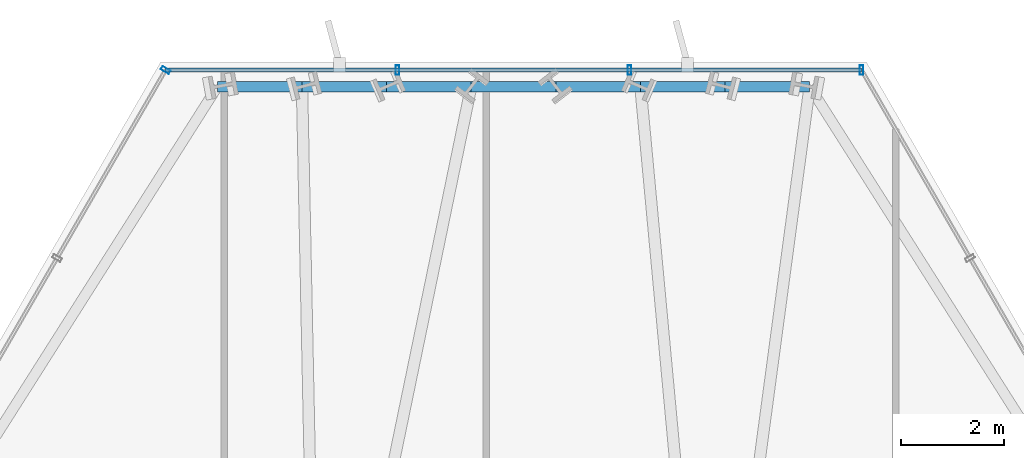
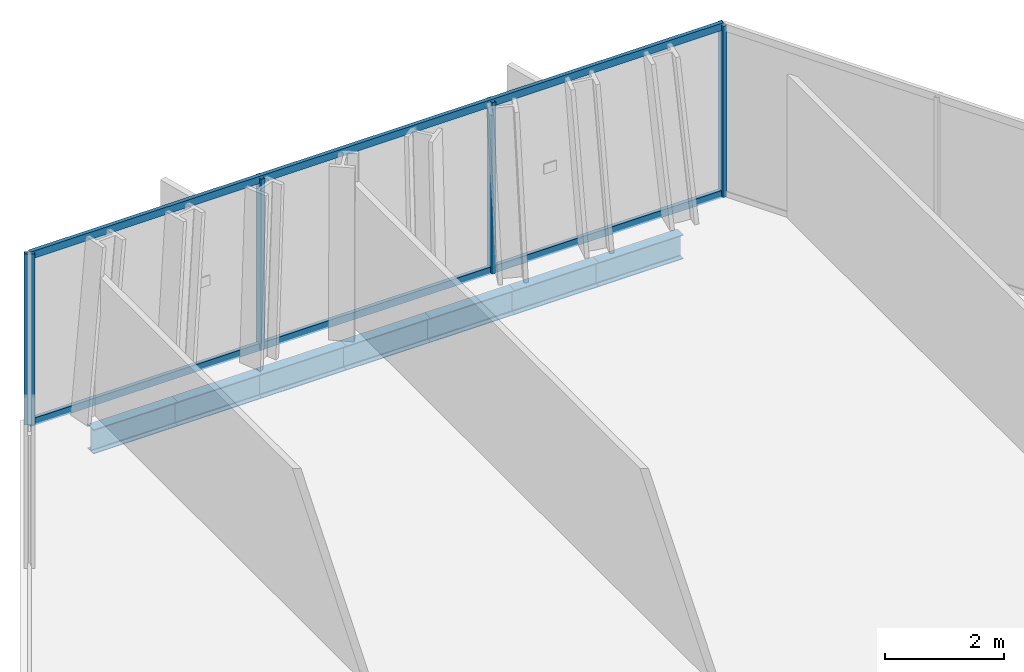
# One storey, part 22 of 31: 7 beams, 6 members, 2 elements without a shape of their own.
"""IFC4 building model written with IfcOpenShell, lengths in metres."""

from ifc_helpers import new_model, si_unit, direction, frame, origin, origin_2d, place, context, subcontext, project, spatial, hollow_rectangle, i_section, extrude, material, layer, layer_set, material_profile, profile_set, type_object, element, aggregate, save


model = new_model("IFC4")

# Units and contexts
model_context = context("Model", 3, precision=1e-05, world=origin(), true_north=direction((0.0, 1.0)))
body_context = subcontext(model_context, "Body", "Model", "MODEL_VIEW")
ifc_project = project(units=[si_unit("LENGTHUNIT", "METRE"), si_unit("AREAUNIT", "SQUARE_METRE"), si_unit("VOLUMEUNIT", "CUBIC_METRE"), si_unit("PLANEANGLEUNIT", "RADIAN"), si_unit("MASSUNIT", "GRAM", prefix="KILO")], contexts=[model_context])

# Site, building, storey
site_placement = place(None, origin())
site = spatial("IfcSite", under=ifc_project, at=site_placement, CompositionType="ELEMENT")
building_placement = place(site_placement, origin())
building = spatial("IfcBuilding", under=site, at=building_placement, Name="Ndaravel Arena Tower", CompositionType="ELEMENT")
storey_placement = place(building_placement, frame((0.0, 0.0, 108.199951171875)))
storey = spatial("IfcBuildingStorey", under=building, at=storey_placement, Name="L25", CompositionType="ELEMENT", Elevation=108.199951171875)

# Beams
ifc_material_1 = material(Name="Steel S355", Category="steel")
ifc_material_profile_1 = material_profile(ifc_material_1, i_section(OverallWidth=0.199951171875, OverallDepth=0.5, WebThickness=0.01025390625, FlangeThickness=0.01611328125, FilletRadius=0.02099609375, at=origin_2d()), Name="IPE 500")
ifc_profile_set_1 = profile_set([ifc_material_profile_1], Name="Steel S355")
beam_type = type_object("IfcBeamType", Name="BM-SPAN-IPE500", PredefinedType="SPANDREL", material=ifc_profile_set_1)
for number, where, z_axis, x_axis, name in (
    (1, (47.7353515625, 45.642578125, -0.469970703125), (-1.0, 0.0, 0.0), (0.0, -1.0, 0.0), "L25 Perimeter Spandrel Beam SP-11"),
    (2, (46.0966796875, 45.642578125, -0.469970703125), (-1.0, 0.0, 0.0), (0.0, -1.0, 0.0), "L25 Perimeter Spandrel Beam SP-12"),
    (3, (44.4580078125, 45.642578125, -0.469970703125), (-1.0, 0.0, 0.0), (0.0, -1.0, 0.0), "L25 Perimeter Spandrel Beam SP-13"),
    (4, (42.8193359375, 45.642578125, -0.469970703125), (-1.0, 0.0, 0.0), (0.0, -1.0, 0.0), "L25 Perimeter Spandrel Beam SP-14"),
    (5, (41.1806640625, 45.642578125, -0.469970703125), (-1.0, 0.0, 0.0), (0.0, -1.0, 0.0), "L25 Perimeter Spandrel Beam SP-15"),
    (6, (39.5419921875, 45.642578125, -0.469970703125), (-1.0, 0.0, 0.0), (0.0, -1.0, 0.0), "L25 Perimeter Spandrel Beam SP-16"),
    (7, (37.9033203125, 45.642578125, -0.469970703125), (-1.0, 0.0, 0.0), (0.0, -1.0, 0.0), "L25 Perimeter Spandrel Beam SP-17"),
):
    element("IfcBeam", number, at=place(storey_placement, frame(where, z_axis=z_axis, x_axis=x_axis)), inside=storey, type_object=beam_type, Name=name, PredefinedType="SPANDREL", context=body_context, shape_type="SweptSolid", body=[
        extrude(i_section(OverallWidth=0.199951171875, OverallDepth=0.5, WebThickness=0.01025390625, FlangeThickness=0.01611328125, FilletRadius=0.02099609375, at=origin_2d()), origin(), (0.0, 0.0, 1.0), 1.638671875),
    ])

# Curtain wall, members
ifc_material_2 = material(Name="Aluminium", Category="aluminium")
ifc_layer_1 = layer(ifc_material_2, 0.179931640625)
ifc_layer_set_1 = layer_set([ifc_layer_1], Name="Aluminium")
curtain_wall_type_1 = type_object("IfcCurtainWallType", Name="CW-SYS-01", PredefinedType="NOTDEFINED", material=ifc_layer_set_1)
curtain_wall_1_placement = place(storey_placement, origin())
curtain_wall_1 = element("IfcCurtainWall", 8, at=curtain_wall_1_placement, inside=storey, type_object=curtain_wall_type_1, Name="L25 Faceted Crystal Curtain Wall CW-L25-E04", PredefinedType="NOTDEFINED")
ifc_material_3 = material(Name="Aluminium", Category="aluminium")
ifc_material_profile_2 = material_profile(ifc_material_3, hollow_rectangle(XDim=0.074951171875, YDim=0.179931640625, WallThickness=0.00390625, at=origin_2d()), Name="CW MULLION 75x180x4")
ifc_profile_set_2 = profile_set([ifc_material_profile_2], Name="Aluminium")
member_type_1 = type_object("IfcMemberType", Name="MEM-CW-MUL180", PredefinedType="MULLION", material=ifc_profile_set_2)
member_1_placement = place(storey_placement, frame((48.7392578125, 45.962646484375, 0.0), z_axis=(0.0, 0.0, 1.0), x_axis=(-1.0, 0.0, 0.0)))
member_1 = element("IfcMember", 9, at=member_1_placement, type_object=member_type_1, Name="CW-L25-E04 Mullion 00", PredefinedType="MULLION", context=body_context, shape_type="SweptSolid", body=[
    extrude(hollow_rectangle(XDim=0.074951171875, YDim=0.179931640625, WallThickness=0.00390625, at=origin_2d()), origin(), (0.0, 0.0, 1.0), 3.52001953125),
])
member_2_placement = place(storey_placement, frame((44.246337890625, 45.962646484375, 0.0), z_axis=(0.0, 0.0, 1.0), x_axis=(-1.0, 0.0, 0.0)))
member_2 = element("IfcMember", 10, at=member_2_placement, type_object=member_type_1, Name="CW-L25-E04 Mullion 01", PredefinedType="MULLION", context=body_context, shape_type="SweptSolid", body=[
    extrude(hollow_rectangle(XDim=0.074951171875, YDim=0.179931640625, WallThickness=0.00390625, at=origin_2d()), origin(), (0.0, 0.0, 1.0), 3.52001953125),
])
member_3_placement = place(storey_placement, frame((39.753662109375, 45.962646484375, 0.0), z_axis=(0.0, 0.0, 1.0), x_axis=(-1.0, 0.0, 0.0)))
member_3 = element("IfcMember", 11, at=member_3_placement, type_object=member_type_1, Name="CW-L25-E04 Mullion 02", PredefinedType="MULLION", context=body_context, shape_type="SweptSolid", body=[
    extrude(hollow_rectangle(XDim=0.074951171875, YDim=0.179931640625, WallThickness=0.00390625, at=origin_2d()), origin(), (0.0, 0.0, 1.0), 3.52001953125),
])

# Curtain wall, member
ifc_material_4 = material(Name="Aluminium", Category="aluminium")
ifc_layer_2 = layer(ifc_material_4, 0.179931640625)
ifc_layer_set_2 = layer_set([ifc_layer_2], Name="Aluminium")
curtain_wall_type_2 = type_object("IfcCurtainWallType", Name="CW-SYS-03", PredefinedType="NOTDEFINED", material=ifc_layer_set_2)
curtain_wall_2_placement = place(storey_placement, origin())
curtain_wall_2 = element("IfcCurtainWall", 12, at=curtain_wall_2_placement, inside=storey, type_object=curtain_wall_type_2, Name="L25 Faceted Crystal Curtain Wall CW-L25-E05", PredefinedType="NOTDEFINED")
member_4_placement = place(storey_placement, frame((35.2607421875, 45.962646484375, 0.0), z_axis=(0.0, 0.0, 1.0), x_axis=(-0.5, -0.866025403784, 0.0)))
member_4 = element("IfcMember", 13, at=member_4_placement, type_object=member_type_1, Name="CW-L25-E05 Mullion 00", PredefinedType="MULLION", context=body_context, shape_type="SweptSolid", body=[
    extrude(hollow_rectangle(XDim=0.074951171875, YDim=0.179931640625, WallThickness=0.00390625, at=origin_2d()), origin(), (0.0, 0.0, 1.0), 3.52001953125),
])
aggregate(curtain_wall_2, [member_4])

# Member
ifc_material_5 = material(Name="Aluminium", Category="aluminium")
ifc_material_profile_3 = material_profile(ifc_material_5, hollow_rectangle(XDim=0.074951171875, YDim=0.14990234375, WallThickness=0.00390625, at=origin_2d()), Name="CW TRANSOM 75x150x4")
ifc_profile_set_3 = profile_set([ifc_material_profile_3], Name="Aluminium")
member_type_2 = type_object("IfcMemberType", Name="MEM-CW-TRN150", PredefinedType="USERDEFINED", material=ifc_profile_set_3)
member_5_placement = place(storey_placement, frame((48.7392578125, 45.962646484375, 0.0400390625), z_axis=(-1.0, 0.0, 0.0), x_axis=(0.0, -1.0, 0.0)))
member_5 = element("IfcMember", 14, at=member_5_placement, type_object=member_type_2, Name="CW-L25-E04 Transom 01", ObjectType="TRANSOM", PredefinedType="USERDEFINED", context=body_context, shape_type="SweptSolid", body=[
    extrude(hollow_rectangle(XDim=0.074951171875, YDim=0.14990234375, WallThickness=0.00390625, at=origin_2d()), origin(), (0.0, 0.0, 1.0), 13.478515625),
])

member_6_placement = place(storey_placement, frame((48.7392578125, 45.962646484375, 3.47998046875), z_axis=(-1.0, 0.0, 0.0), x_axis=(0.0, -1.0, 0.0)))
member_6 = element("IfcMember", 15, at=member_6_placement, type_object=member_type_2, Name="CW-L25-E04 Transom 02", ObjectType="TRANSOM", PredefinedType="USERDEFINED", context=body_context, shape_type="SweptSolid", body=[
    extrude(hollow_rectangle(XDim=0.074951171875, YDim=0.14990234375, WallThickness=0.00390625, at=origin_2d()), origin(), (0.0, 0.0, 1.0), 13.478515625),
])

aggregate(curtain_wall_1, [member_1, member_2, member_3, member_5, member_6])

save(model, "model.ifc")
